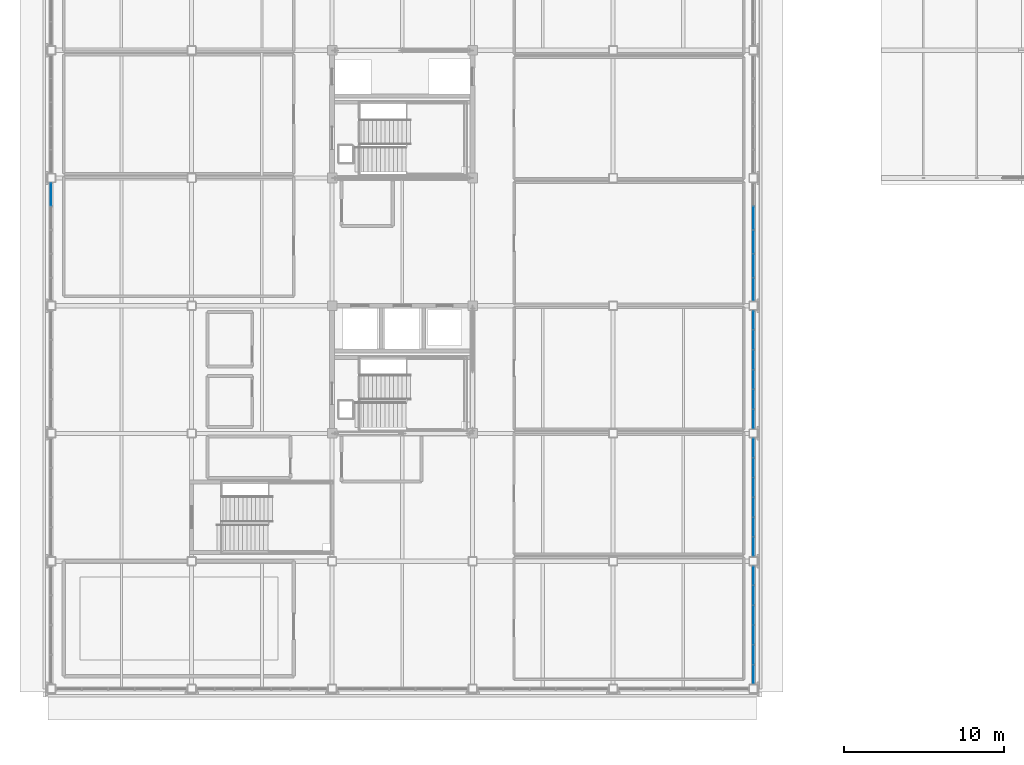
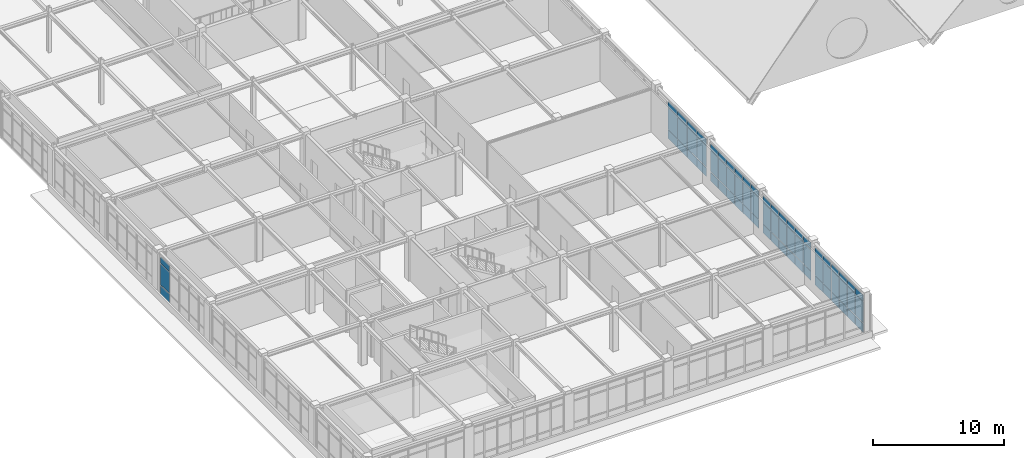
# One storey, part 28 of 64: 69 plates, 5 elements without a shape of their own.
"""IFC4 building model written with IfcOpenShell, lengths in metres."""

from ifc_helpers import new_model, si_unit, direction, frame, origin, origin_2d, place, context, subcontext, project, spatial, rectangle, extrude, material, layer, layer_set, type_object, element, aggregate, save


model = new_model("IFC4")

# Units and contexts
model_context = context("Model", 3, precision=1e-05, world=origin(), true_north=direction((0.0, 1.0)))
body_context = subcontext(model_context, "Body", "Model", "MODEL_VIEW")
ifc_project = project(units=[si_unit("LENGTHUNIT", "METRE"), si_unit("AREAUNIT", "SQUARE_METRE"), si_unit("VOLUMEUNIT", "CUBIC_METRE"), si_unit("PLANEANGLEUNIT", "RADIAN"), si_unit("MASSUNIT", "GRAM", prefix="KILO")], contexts=[model_context])

# Site, building, storey
site_placement = place(None, origin())
site = spatial("IfcSite", under=ifc_project, at=site_placement, CompositionType="ELEMENT")
building_placement = place(site_placement, origin())
building = spatial("IfcBuilding", under=site, at=building_placement, Name="Zhaolan Boulevard Law Courts", CompositionType="ELEMENT")
storey_placement = place(building_placement, frame((0.0, 0.0, 20.39990234375)))
storey = spatial("IfcBuildingStorey", under=building, at=storey_placement, Name="L04", CompositionType="ELEMENT", Elevation=20.39990234375)

# Curtain wall, plates
ifc_material_1 = material(Name="Thermally broken aluminium and low-E glazing", Category="aluminium")
curtain_wall_type_1 = type_object("IfcCurtainWallType", Name="CURTAIN WALL M1", PredefinedType="USERDEFINED", material=ifc_material_1)
curtain_wall_1_placement = place(storey_placement, origin())
curtain_wall_1 = element("IfcCurtainWall", 1, at=curtain_wall_1_placement, inside=storey, type_object=curtain_wall_type_1, Name="Curtain Wall CW-L04-193", ObjectType="CURTAIN WALL", PredefinedType="USERDEFINED")
ifc_material_2 = material(Name="Triple-silver low-E insulated glazing", Category="glass")
ifc_layer = layer(ifc_material_2, 0.028076171875)
ifc_layer_set = layer_set([ifc_layer])
plate_type = type_object("IfcPlateType", Name="CWPANEL LOW E28", PredefinedType="CURTAIN_PANEL", material=ifc_layer_set)
plate_1_placement = place(storey_placement, frame((0.0, 60.962158203125, 0.06494140625), z_axis=(0.0, 0.0, 1.0), x_axis=(0.0, -1.0, 0.0)))
plate_1 = element("IfcPlate", 2, at=plate_1_placement, type_object=plate_type, Name="CW-L04-193 panel 1.1", PredefinedType="CURTAIN_PANEL", context=body_context, shape_type="SweptSolid", body=[
    extrude(rectangle(XDim=1.3916015625, YDim=0.028076171875, at=origin_2d()), origin(), (0.0, 0.0, 1.0), 0.802490234375),
])
plate_2_placement = place(storey_placement, frame((0.0, 60.962158203125, 0.9326171875), z_axis=(0.0, 0.0, 1.0), x_axis=(0.0, -1.0, 0.0)))
plate_2 = element("IfcPlate", 3, at=plate_2_placement, type_object=plate_type, Name="CW-L04-193 panel 1.2", PredefinedType="CURTAIN_PANEL", context=body_context, shape_type="SweptSolid", body=[
    extrude(rectangle(XDim=1.3916015625, YDim=0.028076171875, at=origin_2d()), origin(), (0.0, 0.0, 1.0), 1.97802734375),
])
plate_3_placement = place(storey_placement, frame((0.0, 60.962158203125, 2.9755859375), z_axis=(0.0, 0.0, 1.0), x_axis=(0.0, -1.0, 0.0)))
plate_3 = element("IfcPlate", 4, at=plate_3_placement, type_object=plate_type, Name="CW-L04-193 panel 1.3", PredefinedType="CURTAIN_PANEL", context=body_context, shape_type="SweptSolid", body=[
    extrude(rectangle(XDim=1.3916015625, YDim=0.028076171875, at=origin_2d()), origin(), (0.0, 0.0, 1.0), 0.552490234375),
])
aggregate(curtain_wall_1, [plate_1, plate_2, plate_3])

ifc_material_3 = material(Name="Thermally broken aluminium and low-E glazing", Category="aluminium")
curtain_wall_type_2 = type_object("IfcCurtainWallType", Name="CURTAIN WALL M4", PredefinedType="USERDEFINED", material=ifc_material_3)
curtain_wall_2_placement = place(storey_placement, origin())
curtain_wall_2 = element("IfcCurtainWall", 5, at=curtain_wall_2_placement, inside=storey, type_object=curtain_wall_type_2, Name="Curtain Wall CW-L04-196", ObjectType="CURTAIN WALL", PredefinedType="USERDEFINED")
plate_4_placement = place(storey_placement, frame((44.0, 30.91259765625, 0.06005859375), z_axis=(0.0, 0.0, 1.0), x_axis=(0.0, 1.0, 0.0)))
plate_4 = element("IfcPlate", 6, at=plate_4_placement, type_object=plate_type, Name="CW-L04-196 panel 1.1", PredefinedType="CURTAIN_PANEL", context=body_context, shape_type="SweptSolid", body=[
    extrude(rectangle(XDim=1.15087890625, YDim=0.028076171875, at=origin_2d()), origin(), (0.0, 0.0, 1.0), 0.81005859375),
])
plate_5_placement = place(storey_placement, frame((44.0, 30.91259765625, 0.93017578125), z_axis=(0.0, 0.0, 1.0), x_axis=(0.0, 1.0, 0.0)))
plate_5 = element("IfcPlate", 7, at=plate_5_placement, type_object=plate_type, Name="CW-L04-196 panel 1.2", PredefinedType="CURTAIN_PANEL", context=body_context, shape_type="SweptSolid", body=[
    extrude(rectangle(XDim=1.15087890625, YDim=0.028076171875, at=origin_2d()), origin(), (0.0, 0.0, 1.0), 1.98291015625),
])
plate_6_placement = place(storey_placement, frame((44.0, 30.91259765625, 2.97314453125), z_axis=(0.0, 0.0, 1.0), x_axis=(0.0, 1.0, 0.0)))
plate_6 = element("IfcPlate", 8, at=plate_6_placement, type_object=plate_type, Name="CW-L04-196 panel 1.3", PredefinedType="CURTAIN_PANEL", context=body_context, shape_type="SweptSolid", body=[
    extrude(rectangle(XDim=1.15087890625, YDim=0.028076171875, at=origin_2d()), origin(), (0.0, 0.0, 1.0), 0.56005859375),
])
plate_7_placement = place(storey_placement, frame((44.0, 32.138427734375, 0.06005859375), z_axis=(0.0, 0.0, 1.0), x_axis=(0.0, 1.0, 0.0)))
plate_7 = element("IfcPlate", 9, at=plate_7_placement, type_object=plate_type, Name="CW-L04-196 panel 2.1", PredefinedType="CURTAIN_PANEL", context=body_context, shape_type="SweptSolid", body=[
    extrude(rectangle(XDim=1.180908203125, YDim=0.028076171875, at=origin_2d()), origin(), (0.0, 0.0, 1.0), 0.81005859375),
])
plate_8_placement = place(storey_placement, frame((44.0, 32.138427734375, 0.93017578125), z_axis=(0.0, 0.0, 1.0), x_axis=(0.0, 1.0, 0.0)))
plate_8 = element("IfcPlate", 10, at=plate_8_placement, type_object=plate_type, Name="CW-L04-196 panel 2.2", PredefinedType="CURTAIN_PANEL", context=body_context, shape_type="SweptSolid", body=[
    extrude(rectangle(XDim=1.180908203125, YDim=0.028076171875, at=origin_2d()), origin(), (0.0, 0.0, 1.0), 1.98291015625),
])
plate_9_placement = place(storey_placement, frame((44.0, 32.138427734375, 2.97314453125), z_axis=(0.0, 0.0, 1.0), x_axis=(0.0, 1.0, 0.0)))
plate_9 = element("IfcPlate", 11, at=plate_9_placement, type_object=plate_type, Name="CW-L04-196 panel 2.3", PredefinedType="CURTAIN_PANEL", context=body_context, shape_type="SweptSolid", body=[
    extrude(rectangle(XDim=1.180908203125, YDim=0.028076171875, at=origin_2d()), origin(), (0.0, 0.0, 1.0), 0.56005859375),
])
plate_10_placement = place(storey_placement, frame((44.0, 33.37939453125, 0.06005859375), z_axis=(0.0, 0.0, 1.0), x_axis=(0.0, 1.0, 0.0)))
plate_10 = element("IfcPlate", 12, at=plate_10_placement, type_object=plate_type, Name="CW-L04-196 panel 3.1", PredefinedType="CURTAIN_PANEL", context=body_context, shape_type="SweptSolid", body=[
    extrude(rectangle(XDim=1.180908203125, YDim=0.028076171875, at=origin_2d()), origin(), (0.0, 0.0, 1.0), 0.81005859375),
])
plate_11_placement = place(storey_placement, frame((44.0, 33.37939453125, 0.93017578125), z_axis=(0.0, 0.0, 1.0), x_axis=(0.0, 1.0, 0.0)))
plate_11 = element("IfcPlate", 13, at=plate_11_placement, type_object=plate_type, Name="CW-L04-196 panel 3.2", PredefinedType="CURTAIN_PANEL", context=body_context, shape_type="SweptSolid", body=[
    extrude(rectangle(XDim=1.180908203125, YDim=0.028076171875, at=origin_2d()), origin(), (0.0, 0.0, 1.0), 1.98291015625),
])
plate_12_placement = place(storey_placement, frame((44.0, 33.37939453125, 2.97314453125), z_axis=(0.0, 0.0, 1.0), x_axis=(0.0, 1.0, 0.0)))
plate_12 = element("IfcPlate", 14, at=plate_12_placement, type_object=plate_type, Name="CW-L04-196 panel 3.3", PredefinedType="CURTAIN_PANEL", context=body_context, shape_type="SweptSolid", body=[
    extrude(rectangle(XDim=1.180908203125, YDim=0.028076171875, at=origin_2d()), origin(), (0.0, 0.0, 1.0), 0.56005859375),
])
plate_13_placement = place(storey_placement, frame((44.0, 34.62060546875, 0.06005859375), z_axis=(0.0, 0.0, 1.0), x_axis=(0.0, 1.0, 0.0)))
plate_13 = element("IfcPlate", 15, at=plate_13_placement, type_object=plate_type, Name="CW-L04-196 panel 4.1", PredefinedType="CURTAIN_PANEL", context=body_context, shape_type="SweptSolid", body=[
    extrude(rectangle(XDim=1.180908203125, YDim=0.028076171875, at=origin_2d()), origin(), (0.0, 0.0, 1.0), 0.81005859375),
])
plate_14_placement = place(storey_placement, frame((44.0, 34.62060546875, 0.93017578125), z_axis=(0.0, 0.0, 1.0), x_axis=(0.0, 1.0, 0.0)))
plate_14 = element("IfcPlate", 16, at=plate_14_placement, type_object=plate_type, Name="CW-L04-196 panel 4.2", PredefinedType="CURTAIN_PANEL", context=body_context, shape_type="SweptSolid", body=[
    extrude(rectangle(XDim=1.180908203125, YDim=0.028076171875, at=origin_2d()), origin(), (0.0, 0.0, 1.0), 1.98291015625),
])
plate_15_placement = place(storey_placement, frame((44.0, 34.62060546875, 2.97314453125), z_axis=(0.0, 0.0, 1.0), x_axis=(0.0, 1.0, 0.0)))
plate_15 = element("IfcPlate", 17, at=plate_15_placement, type_object=plate_type, Name="CW-L04-196 panel 4.3", PredefinedType="CURTAIN_PANEL", context=body_context, shape_type="SweptSolid", body=[
    extrude(rectangle(XDim=1.180908203125, YDim=0.028076171875, at=origin_2d()), origin(), (0.0, 0.0, 1.0), 0.56005859375),
])
plate_16_placement = place(storey_placement, frame((44.0, 35.861572265625, 0.06005859375), z_axis=(0.0, 0.0, 1.0), x_axis=(0.0, 1.0, 0.0)))
plate_16 = element("IfcPlate", 18, at=plate_16_placement, type_object=plate_type, Name="CW-L04-196 panel 5.1", PredefinedType="CURTAIN_PANEL", context=body_context, shape_type="SweptSolid", body=[
    extrude(rectangle(XDim=1.180908203125, YDim=0.028076171875, at=origin_2d()), origin(), (0.0, 0.0, 1.0), 0.81005859375),
])
plate_17_placement = place(storey_placement, frame((44.0, 35.861572265625, 0.93017578125), z_axis=(0.0, 0.0, 1.0), x_axis=(0.0, 1.0, 0.0)))
plate_17 = element("IfcPlate", 19, at=plate_17_placement, type_object=plate_type, Name="CW-L04-196 panel 5.2", PredefinedType="CURTAIN_PANEL", context=body_context, shape_type="SweptSolid", body=[
    extrude(rectangle(XDim=1.180908203125, YDim=0.028076171875, at=origin_2d()), origin(), (0.0, 0.0, 1.0), 1.98291015625),
])
plate_18_placement = place(storey_placement, frame((44.0, 35.861572265625, 2.97314453125), z_axis=(0.0, 0.0, 1.0), x_axis=(0.0, 1.0, 0.0)))
plate_18 = element("IfcPlate", 20, at=plate_18_placement, type_object=plate_type, Name="CW-L04-196 panel 5.3", PredefinedType="CURTAIN_PANEL", context=body_context, shape_type="SweptSolid", body=[
    extrude(rectangle(XDim=1.180908203125, YDim=0.028076171875, at=origin_2d()), origin(), (0.0, 0.0, 1.0), 0.56005859375),
])
plate_19_placement = place(storey_placement, frame((44.0, 37.08740234375, 0.06005859375), z_axis=(0.0, 0.0, 1.0), x_axis=(0.0, 1.0, 0.0)))
plate_19 = element("IfcPlate", 21, at=plate_19_placement, type_object=plate_type, Name="CW-L04-196 panel 6.1", PredefinedType="CURTAIN_PANEL", context=body_context, shape_type="SweptSolid", body=[
    extrude(rectangle(XDim=1.15087890625, YDim=0.028076171875, at=origin_2d()), origin(), (0.0, 0.0, 1.0), 0.81005859375),
])
plate_20_placement = place(storey_placement, frame((44.0, 37.08740234375, 0.93017578125), z_axis=(0.0, 0.0, 1.0), x_axis=(0.0, 1.0, 0.0)))
plate_20 = element("IfcPlate", 22, at=plate_20_placement, type_object=plate_type, Name="CW-L04-196 panel 6.2", PredefinedType="CURTAIN_PANEL", context=body_context, shape_type="SweptSolid", body=[
    extrude(rectangle(XDim=1.15087890625, YDim=0.028076171875, at=origin_2d()), origin(), (0.0, 0.0, 1.0), 1.98291015625),
])
plate_21_placement = place(storey_placement, frame((44.0, 37.08740234375, 2.97314453125), z_axis=(0.0, 0.0, 1.0), x_axis=(0.0, 1.0, 0.0)))
plate_21 = element("IfcPlate", 23, at=plate_21_placement, type_object=plate_type, Name="CW-L04-196 panel 6.3", PredefinedType="CURTAIN_PANEL", context=body_context, shape_type="SweptSolid", body=[
    extrude(rectangle(XDim=1.15087890625, YDim=0.028076171875, at=origin_2d()), origin(), (0.0, 0.0, 1.0), 0.56005859375),
])
aggregate(curtain_wall_2, [plate_4, plate_5, plate_6, plate_7, plate_8, plate_9, plate_10, plate_11, plate_12, plate_13, plate_14, plate_15, plate_16, plate_17, plate_18, plate_19, plate_20, plate_21])

ifc_material_4 = material(Name="Thermally broken aluminium and low-E glazing", Category="aluminium")
curtain_wall_type_3 = type_object("IfcCurtainWallType", Name="CURTAIN WALL M5", PredefinedType="USERDEFINED", material=ifc_material_4)
curtain_wall_3_placement = place(storey_placement, origin())
curtain_wall_3 = element("IfcCurtainWall", 24, at=curtain_wall_3_placement, inside=storey, type_object=curtain_wall_type_3, Name="Curtain Wall CW-L04-197", ObjectType="CURTAIN WALL", PredefinedType="USERDEFINED")
plate_22_placement = place(storey_placement, frame((44.0, 38.91259765625, 0.06005859375), z_axis=(0.0, 0.0, 1.0), x_axis=(0.0, 1.0, 0.0)))
plate_22 = element("IfcPlate", 25, at=plate_22_placement, type_object=plate_type, Name="CW-L04-197 panel 1.1", PredefinedType="CURTAIN_PANEL", context=body_context, shape_type="SweptSolid", body=[
    extrude(rectangle(XDim=1.15087890625, YDim=0.028076171875, at=origin_2d()), origin(), (0.0, 0.0, 1.0), 0.81005859375),
])
plate_23_placement = place(storey_placement, frame((44.0, 38.91259765625, 0.93017578125), z_axis=(0.0, 0.0, 1.0), x_axis=(0.0, 1.0, 0.0)))
plate_23 = element("IfcPlate", 26, at=plate_23_placement, type_object=plate_type, Name="CW-L04-197 panel 1.2", PredefinedType="CURTAIN_PANEL", context=body_context, shape_type="SweptSolid", body=[
    extrude(rectangle(XDim=1.15087890625, YDim=0.028076171875, at=origin_2d()), origin(), (0.0, 0.0, 1.0), 1.98291015625),
])
plate_24_placement = place(storey_placement, frame((44.0, 38.91259765625, 2.97314453125), z_axis=(0.0, 0.0, 1.0), x_axis=(0.0, 1.0, 0.0)))
plate_24 = element("IfcPlate", 27, at=plate_24_placement, type_object=plate_type, Name="CW-L04-197 panel 1.3", PredefinedType="CURTAIN_PANEL", context=body_context, shape_type="SweptSolid", body=[
    extrude(rectangle(XDim=1.15087890625, YDim=0.028076171875, at=origin_2d()), origin(), (0.0, 0.0, 1.0), 0.56005859375),
])
plate_25_placement = place(storey_placement, frame((44.0, 40.138427734375, 0.06005859375), z_axis=(0.0, 0.0, 1.0), x_axis=(0.0, 1.0, 0.0)))
plate_25 = element("IfcPlate", 28, at=plate_25_placement, type_object=plate_type, Name="CW-L04-197 panel 2.1", PredefinedType="CURTAIN_PANEL", context=body_context, shape_type="SweptSolid", body=[
    extrude(rectangle(XDim=1.180908203125, YDim=0.028076171875, at=origin_2d()), origin(), (0.0, 0.0, 1.0), 0.81005859375),
])
plate_26_placement = place(storey_placement, frame((44.0, 40.138427734375, 0.93017578125), z_axis=(0.0, 0.0, 1.0), x_axis=(0.0, 1.0, 0.0)))
plate_26 = element("IfcPlate", 29, at=plate_26_placement, type_object=plate_type, Name="CW-L04-197 panel 2.2", PredefinedType="CURTAIN_PANEL", context=body_context, shape_type="SweptSolid", body=[
    extrude(rectangle(XDim=1.180908203125, YDim=0.028076171875, at=origin_2d()), origin(), (0.0, 0.0, 1.0), 1.98291015625),
])
plate_27_placement = place(storey_placement, frame((44.0, 40.138427734375, 2.97314453125), z_axis=(0.0, 0.0, 1.0), x_axis=(0.0, 1.0, 0.0)))
plate_27 = element("IfcPlate", 30, at=plate_27_placement, type_object=plate_type, Name="CW-L04-197 panel 2.3", PredefinedType="CURTAIN_PANEL", context=body_context, shape_type="SweptSolid", body=[
    extrude(rectangle(XDim=1.180908203125, YDim=0.028076171875, at=origin_2d()), origin(), (0.0, 0.0, 1.0), 0.56005859375),
])
plate_28_placement = place(storey_placement, frame((44.0, 41.37939453125, 0.06005859375), z_axis=(0.0, 0.0, 1.0), x_axis=(0.0, 1.0, 0.0)))
plate_28 = element("IfcPlate", 31, at=plate_28_placement, type_object=plate_type, Name="CW-L04-197 panel 3.1", PredefinedType="CURTAIN_PANEL", context=body_context, shape_type="SweptSolid", body=[
    extrude(rectangle(XDim=1.180908203125, YDim=0.028076171875, at=origin_2d()), origin(), (0.0, 0.0, 1.0), 0.81005859375),
])
plate_29_placement = place(storey_placement, frame((44.0, 41.37939453125, 0.93017578125), z_axis=(0.0, 0.0, 1.0), x_axis=(0.0, 1.0, 0.0)))
plate_29 = element("IfcPlate", 32, at=plate_29_placement, type_object=plate_type, Name="CW-L04-197 panel 3.2", PredefinedType="CURTAIN_PANEL", context=body_context, shape_type="SweptSolid", body=[
    extrude(rectangle(XDim=1.180908203125, YDim=0.028076171875, at=origin_2d()), origin(), (0.0, 0.0, 1.0), 1.98291015625),
])
plate_30_placement = place(storey_placement, frame((44.0, 41.37939453125, 2.97314453125), z_axis=(0.0, 0.0, 1.0), x_axis=(0.0, 1.0, 0.0)))
plate_30 = element("IfcPlate", 33, at=plate_30_placement, type_object=plate_type, Name="CW-L04-197 panel 3.3", PredefinedType="CURTAIN_PANEL", context=body_context, shape_type="SweptSolid", body=[
    extrude(rectangle(XDim=1.180908203125, YDim=0.028076171875, at=origin_2d()), origin(), (0.0, 0.0, 1.0), 0.56005859375),
])
plate_31_placement = place(storey_placement, frame((44.0, 42.62060546875, 0.06005859375), z_axis=(0.0, 0.0, 1.0), x_axis=(0.0, 1.0, 0.0)))
plate_31 = element("IfcPlate", 34, at=plate_31_placement, type_object=plate_type, Name="CW-L04-197 panel 4.1", PredefinedType="CURTAIN_PANEL", context=body_context, shape_type="SweptSolid", body=[
    extrude(rectangle(XDim=1.180908203125, YDim=0.028076171875, at=origin_2d()), origin(), (0.0, 0.0, 1.0), 0.81005859375),
])
plate_32_placement = place(storey_placement, frame((44.0, 42.62060546875, 0.93017578125), z_axis=(0.0, 0.0, 1.0), x_axis=(0.0, 1.0, 0.0)))
plate_32 = element("IfcPlate", 35, at=plate_32_placement, type_object=plate_type, Name="CW-L04-197 panel 4.2", PredefinedType="CURTAIN_PANEL", context=body_context, shape_type="SweptSolid", body=[
    extrude(rectangle(XDim=1.180908203125, YDim=0.028076171875, at=origin_2d()), origin(), (0.0, 0.0, 1.0), 1.98291015625),
])
plate_33_placement = place(storey_placement, frame((44.0, 42.62060546875, 2.97314453125), z_axis=(0.0, 0.0, 1.0), x_axis=(0.0, 1.0, 0.0)))
plate_33 = element("IfcPlate", 36, at=plate_33_placement, type_object=plate_type, Name="CW-L04-197 panel 4.3", PredefinedType="CURTAIN_PANEL", context=body_context, shape_type="SweptSolid", body=[
    extrude(rectangle(XDim=1.180908203125, YDim=0.028076171875, at=origin_2d()), origin(), (0.0, 0.0, 1.0), 0.56005859375),
])
plate_34_placement = place(storey_placement, frame((44.0, 43.861572265625, 0.06005859375), z_axis=(0.0, 0.0, 1.0), x_axis=(0.0, 1.0, 0.0)))
plate_34 = element("IfcPlate", 37, at=plate_34_placement, type_object=plate_type, Name="CW-L04-197 panel 5.1", PredefinedType="CURTAIN_PANEL", context=body_context, shape_type="SweptSolid", body=[
    extrude(rectangle(XDim=1.180908203125, YDim=0.028076171875, at=origin_2d()), origin(), (0.0, 0.0, 1.0), 0.81005859375),
])
plate_35_placement = place(storey_placement, frame((44.0, 43.861572265625, 0.93017578125), z_axis=(0.0, 0.0, 1.0), x_axis=(0.0, 1.0, 0.0)))
plate_35 = element("IfcPlate", 38, at=plate_35_placement, type_object=plate_type, Name="CW-L04-197 panel 5.2", PredefinedType="CURTAIN_PANEL", context=body_context, shape_type="SweptSolid", body=[
    extrude(rectangle(XDim=1.180908203125, YDim=0.028076171875, at=origin_2d()), origin(), (0.0, 0.0, 1.0), 1.98291015625),
])
plate_36_placement = place(storey_placement, frame((44.0, 43.861572265625, 2.97314453125), z_axis=(0.0, 0.0, 1.0), x_axis=(0.0, 1.0, 0.0)))
plate_36 = element("IfcPlate", 39, at=plate_36_placement, type_object=plate_type, Name="CW-L04-197 panel 5.3", PredefinedType="CURTAIN_PANEL", context=body_context, shape_type="SweptSolid", body=[
    extrude(rectangle(XDim=1.180908203125, YDim=0.028076171875, at=origin_2d()), origin(), (0.0, 0.0, 1.0), 0.56005859375),
])
plate_37_placement = place(storey_placement, frame((44.0, 45.08740234375, 0.06005859375), z_axis=(0.0, 0.0, 1.0), x_axis=(0.0, 1.0, 0.0)))
plate_37 = element("IfcPlate", 40, at=plate_37_placement, type_object=plate_type, Name="CW-L04-197 panel 6.1", PredefinedType="CURTAIN_PANEL", context=body_context, shape_type="SweptSolid", body=[
    extrude(rectangle(XDim=1.15087890625, YDim=0.028076171875, at=origin_2d()), origin(), (0.0, 0.0, 1.0), 0.81005859375),
])
plate_38_placement = place(storey_placement, frame((44.0, 45.08740234375, 0.93017578125), z_axis=(0.0, 0.0, 1.0), x_axis=(0.0, 1.0, 0.0)))
plate_38 = element("IfcPlate", 41, at=plate_38_placement, type_object=plate_type, Name="CW-L04-197 panel 6.2", PredefinedType="CURTAIN_PANEL", context=body_context, shape_type="SweptSolid", body=[
    extrude(rectangle(XDim=1.15087890625, YDim=0.028076171875, at=origin_2d()), origin(), (0.0, 0.0, 1.0), 1.98291015625),
])
plate_39_placement = place(storey_placement, frame((44.0, 45.08740234375, 2.97314453125), z_axis=(0.0, 0.0, 1.0), x_axis=(0.0, 1.0, 0.0)))
plate_39 = element("IfcPlate", 42, at=plate_39_placement, type_object=plate_type, Name="CW-L04-197 panel 6.3", PredefinedType="CURTAIN_PANEL", context=body_context, shape_type="SweptSolid", body=[
    extrude(rectangle(XDim=1.15087890625, YDim=0.028076171875, at=origin_2d()), origin(), (0.0, 0.0, 1.0), 0.56005859375),
])
aggregate(curtain_wall_3, [plate_22, plate_23, plate_24, plate_25, plate_26, plate_27, plate_28, plate_29, plate_30, plate_31, plate_32, plate_33, plate_34, plate_35, plate_36, plate_37, plate_38, plate_39])

ifc_material_5 = material(Name="Thermally broken aluminium and low-E glazing", Category="aluminium")
curtain_wall_type_4 = type_object("IfcCurtainWallType", Name="CURTAIN WALL M6", PredefinedType="USERDEFINED", material=ifc_material_5)
curtain_wall_4_placement = place(storey_placement, origin())
curtain_wall_4 = element("IfcCurtainWall", 43, at=curtain_wall_4_placement, inside=storey, type_object=curtain_wall_type_4, Name="Curtain Wall CW-L04-198", ObjectType="CURTAIN WALL", PredefinedType="USERDEFINED")
plate_40_placement = place(storey_placement, frame((44.0, 46.91259765625, 0.06005859375), z_axis=(0.0, 0.0, 1.0), x_axis=(0.0, 1.0, 0.0)))
plate_40 = element("IfcPlate", 44, at=plate_40_placement, type_object=plate_type, Name="CW-L04-198 panel 1.1", PredefinedType="CURTAIN_PANEL", context=body_context, shape_type="SweptSolid", body=[
    extrude(rectangle(XDim=1.15087890625, YDim=0.028076171875, at=origin_2d()), origin(), (0.0, 0.0, 1.0), 0.81005859375),
])
plate_41_placement = place(storey_placement, frame((44.0, 46.91259765625, 0.93017578125), z_axis=(0.0, 0.0, 1.0), x_axis=(0.0, 1.0, 0.0)))
plate_41 = element("IfcPlate", 45, at=plate_41_placement, type_object=plate_type, Name="CW-L04-198 panel 1.2", PredefinedType="CURTAIN_PANEL", context=body_context, shape_type="SweptSolid", body=[
    extrude(rectangle(XDim=1.15087890625, YDim=0.028076171875, at=origin_2d()), origin(), (0.0, 0.0, 1.0), 1.98291015625),
])
plate_42_placement = place(storey_placement, frame((44.0, 46.91259765625, 2.97314453125), z_axis=(0.0, 0.0, 1.0), x_axis=(0.0, 1.0, 0.0)))
plate_42 = element("IfcPlate", 46, at=plate_42_placement, type_object=plate_type, Name="CW-L04-198 panel 1.3", PredefinedType="CURTAIN_PANEL", context=body_context, shape_type="SweptSolid", body=[
    extrude(rectangle(XDim=1.15087890625, YDim=0.028076171875, at=origin_2d()), origin(), (0.0, 0.0, 1.0), 0.56005859375),
])
plate_43_placement = place(storey_placement, frame((44.0, 48.138427734375, 0.06005859375), z_axis=(0.0, 0.0, 1.0), x_axis=(0.0, 1.0, 0.0)))
plate_43 = element("IfcPlate", 47, at=plate_43_placement, type_object=plate_type, Name="CW-L04-198 panel 2.1", PredefinedType="CURTAIN_PANEL", context=body_context, shape_type="SweptSolid", body=[
    extrude(rectangle(XDim=1.180908203125, YDim=0.028076171875, at=origin_2d()), origin(), (0.0, 0.0, 1.0), 0.81005859375),
])
plate_44_placement = place(storey_placement, frame((44.0, 48.138427734375, 0.93017578125), z_axis=(0.0, 0.0, 1.0), x_axis=(0.0, 1.0, 0.0)))
plate_44 = element("IfcPlate", 48, at=plate_44_placement, type_object=plate_type, Name="CW-L04-198 panel 2.2", PredefinedType="CURTAIN_PANEL", context=body_context, shape_type="SweptSolid", body=[
    extrude(rectangle(XDim=1.180908203125, YDim=0.028076171875, at=origin_2d()), origin(), (0.0, 0.0, 1.0), 1.98291015625),
])
plate_45_placement = place(storey_placement, frame((44.0, 48.138427734375, 2.97314453125), z_axis=(0.0, 0.0, 1.0), x_axis=(0.0, 1.0, 0.0)))
plate_45 = element("IfcPlate", 49, at=plate_45_placement, type_object=plate_type, Name="CW-L04-198 panel 2.3", PredefinedType="CURTAIN_PANEL", context=body_context, shape_type="SweptSolid", body=[
    extrude(rectangle(XDim=1.180908203125, YDim=0.028076171875, at=origin_2d()), origin(), (0.0, 0.0, 1.0), 0.56005859375),
])
plate_46_placement = place(storey_placement, frame((44.0, 49.37939453125, 0.06005859375), z_axis=(0.0, 0.0, 1.0), x_axis=(0.0, 1.0, 0.0)))
plate_46 = element("IfcPlate", 50, at=plate_46_placement, type_object=plate_type, Name="CW-L04-198 panel 3.1", PredefinedType="CURTAIN_PANEL", context=body_context, shape_type="SweptSolid", body=[
    extrude(rectangle(XDim=1.180908203125, YDim=0.028076171875, at=origin_2d()), origin(), (0.0, 0.0, 1.0), 0.81005859375),
])
plate_47_placement = place(storey_placement, frame((44.0, 49.37939453125, 0.93017578125), z_axis=(0.0, 0.0, 1.0), x_axis=(0.0, 1.0, 0.0)))
plate_47 = element("IfcPlate", 51, at=plate_47_placement, type_object=plate_type, Name="CW-L04-198 panel 3.2", PredefinedType="CURTAIN_PANEL", context=body_context, shape_type="SweptSolid", body=[
    extrude(rectangle(XDim=1.180908203125, YDim=0.028076171875, at=origin_2d()), origin(), (0.0, 0.0, 1.0), 1.98291015625),
])
plate_48_placement = place(storey_placement, frame((44.0, 49.37939453125, 2.97314453125), z_axis=(0.0, 0.0, 1.0), x_axis=(0.0, 1.0, 0.0)))
plate_48 = element("IfcPlate", 52, at=plate_48_placement, type_object=plate_type, Name="CW-L04-198 panel 3.3", PredefinedType="CURTAIN_PANEL", context=body_context, shape_type="SweptSolid", body=[
    extrude(rectangle(XDim=1.180908203125, YDim=0.028076171875, at=origin_2d()), origin(), (0.0, 0.0, 1.0), 0.56005859375),
])
plate_49_placement = place(storey_placement, frame((44.0, 50.62060546875, 0.06005859375), z_axis=(0.0, 0.0, 1.0), x_axis=(0.0, 1.0, 0.0)))
plate_49 = element("IfcPlate", 53, at=plate_49_placement, type_object=plate_type, Name="CW-L04-198 panel 4.1", PredefinedType="CURTAIN_PANEL", context=body_context, shape_type="SweptSolid", body=[
    extrude(rectangle(XDim=1.180908203125, YDim=0.028076171875, at=origin_2d()), origin(), (0.0, 0.0, 1.0), 0.81005859375),
])
plate_50_placement = place(storey_placement, frame((44.0, 50.62060546875, 0.93017578125), z_axis=(0.0, 0.0, 1.0), x_axis=(0.0, 1.0, 0.0)))
plate_50 = element("IfcPlate", 54, at=plate_50_placement, type_object=plate_type, Name="CW-L04-198 panel 4.2", PredefinedType="CURTAIN_PANEL", context=body_context, shape_type="SweptSolid", body=[
    extrude(rectangle(XDim=1.180908203125, YDim=0.028076171875, at=origin_2d()), origin(), (0.0, 0.0, 1.0), 1.98291015625),
])
plate_51_placement = place(storey_placement, frame((44.0, 50.62060546875, 2.97314453125), z_axis=(0.0, 0.0, 1.0), x_axis=(0.0, 1.0, 0.0)))
plate_51 = element("IfcPlate", 55, at=plate_51_placement, type_object=plate_type, Name="CW-L04-198 panel 4.3", PredefinedType="CURTAIN_PANEL", context=body_context, shape_type="SweptSolid", body=[
    extrude(rectangle(XDim=1.180908203125, YDim=0.028076171875, at=origin_2d()), origin(), (0.0, 0.0, 1.0), 0.56005859375),
])
plate_52_placement = place(storey_placement, frame((44.0, 51.861572265625, 0.06005859375), z_axis=(0.0, 0.0, 1.0), x_axis=(0.0, 1.0, 0.0)))
plate_52 = element("IfcPlate", 56, at=plate_52_placement, type_object=plate_type, Name="CW-L04-198 panel 5.1", PredefinedType="CURTAIN_PANEL", context=body_context, shape_type="SweptSolid", body=[
    extrude(rectangle(XDim=1.180908203125, YDim=0.028076171875, at=origin_2d()), origin(), (0.0, 0.0, 1.0), 0.81005859375),
])
plate_53_placement = place(storey_placement, frame((44.0, 51.861572265625, 0.93017578125), z_axis=(0.0, 0.0, 1.0), x_axis=(0.0, 1.0, 0.0)))
plate_53 = element("IfcPlate", 57, at=plate_53_placement, type_object=plate_type, Name="CW-L04-198 panel 5.2", PredefinedType="CURTAIN_PANEL", context=body_context, shape_type="SweptSolid", body=[
    extrude(rectangle(XDim=1.180908203125, YDim=0.028076171875, at=origin_2d()), origin(), (0.0, 0.0, 1.0), 1.98291015625),
])
plate_54_placement = place(storey_placement, frame((44.0, 51.861572265625, 2.97314453125), z_axis=(0.0, 0.0, 1.0), x_axis=(0.0, 1.0, 0.0)))
plate_54 = element("IfcPlate", 58, at=plate_54_placement, type_object=plate_type, Name="CW-L04-198 panel 5.3", PredefinedType="CURTAIN_PANEL", context=body_context, shape_type="SweptSolid", body=[
    extrude(rectangle(XDim=1.180908203125, YDim=0.028076171875, at=origin_2d()), origin(), (0.0, 0.0, 1.0), 0.56005859375),
])
plate_55_placement = place(storey_placement, frame((44.0, 53.08740234375, 0.06005859375), z_axis=(0.0, 0.0, 1.0), x_axis=(0.0, 1.0, 0.0)))
plate_55 = element("IfcPlate", 59, at=plate_55_placement, type_object=plate_type, Name="CW-L04-198 panel 6.1", PredefinedType="CURTAIN_PANEL", context=body_context, shape_type="SweptSolid", body=[
    extrude(rectangle(XDim=1.15087890625, YDim=0.028076171875, at=origin_2d()), origin(), (0.0, 0.0, 1.0), 0.81005859375),
])
plate_56_placement = place(storey_placement, frame((44.0, 53.08740234375, 0.93017578125), z_axis=(0.0, 0.0, 1.0), x_axis=(0.0, 1.0, 0.0)))
plate_56 = element("IfcPlate", 60, at=plate_56_placement, type_object=plate_type, Name="CW-L04-198 panel 6.2", PredefinedType="CURTAIN_PANEL", context=body_context, shape_type="SweptSolid", body=[
    extrude(rectangle(XDim=1.15087890625, YDim=0.028076171875, at=origin_2d()), origin(), (0.0, 0.0, 1.0), 1.98291015625),
])
plate_57_placement = place(storey_placement, frame((44.0, 53.08740234375, 2.97314453125), z_axis=(0.0, 0.0, 1.0), x_axis=(0.0, 1.0, 0.0)))
plate_57 = element("IfcPlate", 61, at=plate_57_placement, type_object=plate_type, Name="CW-L04-198 panel 6.3", PredefinedType="CURTAIN_PANEL", context=body_context, shape_type="SweptSolid", body=[
    extrude(rectangle(XDim=1.15087890625, YDim=0.028076171875, at=origin_2d()), origin(), (0.0, 0.0, 1.0), 0.56005859375),
])
aggregate(curtain_wall_4, [plate_40, plate_41, plate_42, plate_43, plate_44, plate_45, plate_46, plate_47, plate_48, plate_49, plate_50, plate_51, plate_52, plate_53, plate_54, plate_55, plate_56, plate_57])

ifc_material_6 = material(Name="Thermally broken aluminium and low-E glazing", Category="aluminium")
curtain_wall_type_5 = type_object("IfcCurtainWallType", Name="CURTAIN WALL M7", PredefinedType="USERDEFINED", material=ifc_material_6)
curtain_wall_5_placement = place(storey_placement, origin())
curtain_wall_5 = element("IfcCurtainWall", 62, at=curtain_wall_5_placement, inside=storey, type_object=curtain_wall_type_5, Name="Curtain Wall CW-L04-199", ObjectType="CURTAIN WALL", PredefinedType="USERDEFINED")
plate_58_placement = place(storey_placement, frame((44.0, 55.037841796875, 0.06494140625), z_axis=(0.0, 0.0, 1.0), x_axis=(0.0, 1.0, 0.0)))
plate_58 = element("IfcPlate", 63, at=plate_58_placement, type_object=plate_type, Name="CW-L04-199 panel 1.1", PredefinedType="CURTAIN_PANEL", context=body_context, shape_type="SweptSolid", body=[
    extrude(rectangle(XDim=1.3916015625, YDim=0.028076171875, at=origin_2d()), origin(), (0.0, 0.0, 1.0), 0.802490234375),
])
plate_59_placement = place(storey_placement, frame((44.0, 55.037841796875, 0.9326171875), z_axis=(0.0, 0.0, 1.0), x_axis=(0.0, 1.0, 0.0)))
plate_59 = element("IfcPlate", 64, at=plate_59_placement, type_object=plate_type, Name="CW-L04-199 panel 1.2", PredefinedType="CURTAIN_PANEL", context=body_context, shape_type="SweptSolid", body=[
    extrude(rectangle(XDim=1.3916015625, YDim=0.028076171875, at=origin_2d()), origin(), (0.0, 0.0, 1.0), 1.97802734375),
])
plate_60_placement = place(storey_placement, frame((44.0, 55.037841796875, 2.9755859375), z_axis=(0.0, 0.0, 1.0), x_axis=(0.0, 1.0, 0.0)))
plate_60 = element("IfcPlate", 65, at=plate_60_placement, type_object=plate_type, Name="CW-L04-199 panel 1.3", PredefinedType="CURTAIN_PANEL", context=body_context, shape_type="SweptSolid", body=[
    extrude(rectangle(XDim=1.3916015625, YDim=0.028076171875, at=origin_2d()), origin(), (0.0, 0.0, 1.0), 0.552490234375),
])
plate_61_placement = place(storey_placement, frame((44.0, 56.5107421875, 0.06494140625), z_axis=(0.0, 0.0, 1.0), x_axis=(0.0, 1.0, 0.0)))
plate_61 = element("IfcPlate", 66, at=plate_61_placement, type_object=plate_type, Name="CW-L04-199 panel 2.1", PredefinedType="CURTAIN_PANEL", context=body_context, shape_type="SweptSolid", body=[
    extrude(rectangle(XDim=1.42431640625, YDim=0.028076171875, at=origin_2d()), origin(), (0.0, 0.0, 1.0), 0.802490234375),
])
plate_62_placement = place(storey_placement, frame((44.0, 56.5107421875, 0.9326171875), z_axis=(0.0, 0.0, 1.0), x_axis=(0.0, 1.0, 0.0)))
plate_62 = element("IfcPlate", 67, at=plate_62_placement, type_object=plate_type, Name="CW-L04-199 panel 2.2", PredefinedType="CURTAIN_PANEL", context=body_context, shape_type="SweptSolid", body=[
    extrude(rectangle(XDim=1.42431640625, YDim=0.028076171875, at=origin_2d()), origin(), (0.0, 0.0, 1.0), 1.97802734375),
])
plate_63_placement = place(storey_placement, frame((44.0, 56.5107421875, 2.9755859375), z_axis=(0.0, 0.0, 1.0), x_axis=(0.0, 1.0, 0.0)))
plate_63 = element("IfcPlate", 68, at=plate_63_placement, type_object=plate_type, Name="CW-L04-199 panel 2.3", PredefinedType="CURTAIN_PANEL", context=body_context, shape_type="SweptSolid", body=[
    extrude(rectangle(XDim=1.42431640625, YDim=0.028076171875, at=origin_2d()), origin(), (0.0, 0.0, 1.0), 0.552490234375),
])
plate_64_placement = place(storey_placement, frame((44.0, 58.0, 0.06494140625), z_axis=(0.0, 0.0, 1.0), x_axis=(0.0, 1.0, 0.0)))
plate_64 = element("IfcPlate", 69, at=plate_64_placement, type_object=plate_type, Name="CW-L04-199 panel 3.1", PredefinedType="CURTAIN_PANEL", context=body_context, shape_type="SweptSolid", body=[
    extrude(rectangle(XDim=1.42431640625, YDim=0.028076171875, at=origin_2d()), origin(), (0.0, 0.0, 1.0), 0.802490234375),
])
plate_65_placement = place(storey_placement, frame((44.0, 58.0, 0.9326171875), z_axis=(0.0, 0.0, 1.0), x_axis=(0.0, 1.0, 0.0)))
plate_65 = element("IfcPlate", 70, at=plate_65_placement, type_object=plate_type, Name="CW-L04-199 panel 3.2", PredefinedType="CURTAIN_PANEL", context=body_context, shape_type="SweptSolid", body=[
    extrude(rectangle(XDim=1.42431640625, YDim=0.028076171875, at=origin_2d()), origin(), (0.0, 0.0, 1.0), 1.97802734375),
])
plate_66_placement = place(storey_placement, frame((44.0, 58.0, 2.9755859375), z_axis=(0.0, 0.0, 1.0), x_axis=(0.0, 1.0, 0.0)))
plate_66 = element("IfcPlate", 71, at=plate_66_placement, type_object=plate_type, Name="CW-L04-199 panel 3.3", PredefinedType="CURTAIN_PANEL", context=body_context, shape_type="SweptSolid", body=[
    extrude(rectangle(XDim=1.42431640625, YDim=0.028076171875, at=origin_2d()), origin(), (0.0, 0.0, 1.0), 0.552490234375),
])
plate_67_placement = place(storey_placement, frame((44.0, 59.4892578125, 0.06494140625), z_axis=(0.0, 0.0, 1.0), x_axis=(0.0, 1.0, 0.0)))
plate_67 = element("IfcPlate", 72, at=plate_67_placement, type_object=plate_type, Name="CW-L04-199 panel 4.1", PredefinedType="CURTAIN_PANEL", context=body_context, shape_type="SweptSolid", body=[
    extrude(rectangle(XDim=1.42431640625, YDim=0.028076171875, at=origin_2d()), origin(), (0.0, 0.0, 1.0), 0.802490234375),
])
plate_68_placement = place(storey_placement, frame((44.0, 59.4892578125, 0.9326171875), z_axis=(0.0, 0.0, 1.0), x_axis=(0.0, 1.0, 0.0)))
plate_68 = element("IfcPlate", 73, at=plate_68_placement, type_object=plate_type, Name="CW-L04-199 panel 4.2", PredefinedType="CURTAIN_PANEL", context=body_context, shape_type="SweptSolid", body=[
    extrude(rectangle(XDim=1.42431640625, YDim=0.028076171875, at=origin_2d()), origin(), (0.0, 0.0, 1.0), 1.97802734375),
])
plate_69_placement = place(storey_placement, frame((44.0, 59.4892578125, 2.9755859375), z_axis=(0.0, 0.0, 1.0), x_axis=(0.0, 1.0, 0.0)))
plate_69 = element("IfcPlate", 74, at=plate_69_placement, type_object=plate_type, Name="CW-L04-199 panel 4.3", PredefinedType="CURTAIN_PANEL", context=body_context, shape_type="SweptSolid", body=[
    extrude(rectangle(XDim=1.42431640625, YDim=0.028076171875, at=origin_2d()), origin(), (0.0, 0.0, 1.0), 0.552490234375),
])
aggregate(curtain_wall_5, [plate_58, plate_59, plate_60, plate_61, plate_62, plate_63, plate_64, plate_65, plate_66, plate_67, plate_68, plate_69])

save(model, "model.ifc")
